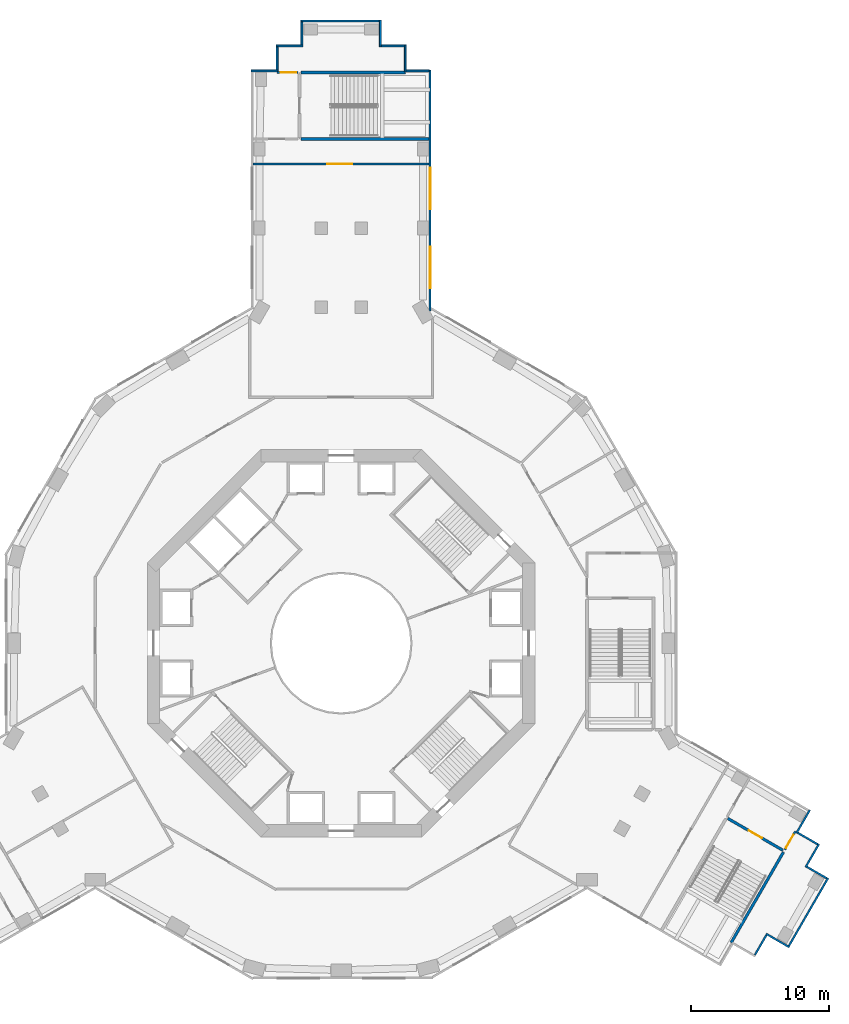
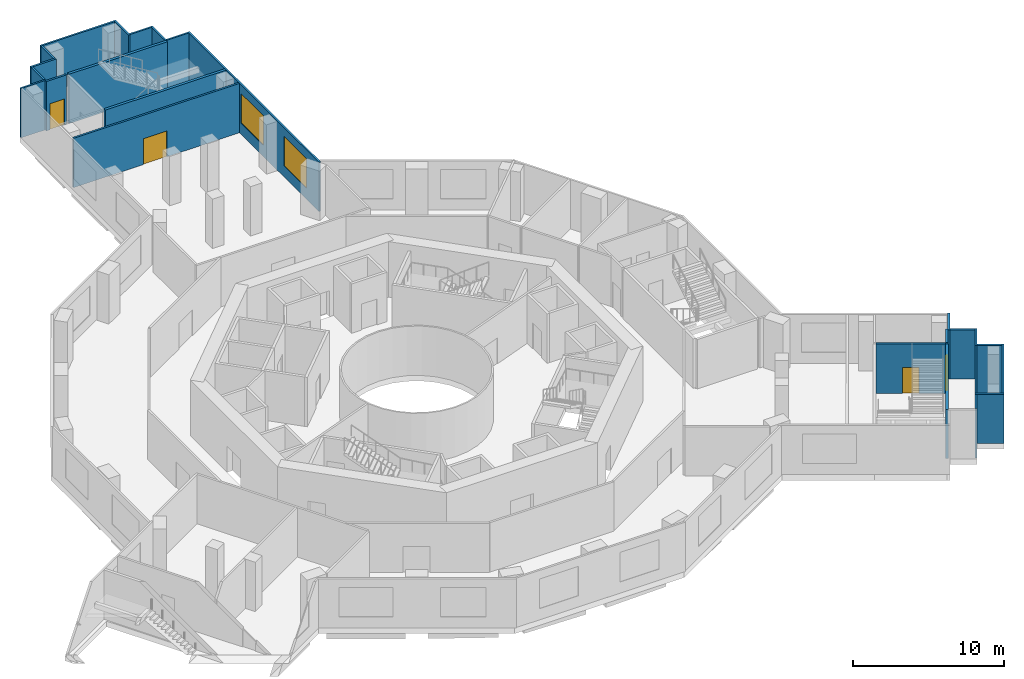
# One storey, part 7 of 20: 24 walls, 4 doors, 2 windows, 6 openings.
"""IFC4 building model written with IfcOpenShell, lengths in metres."""

from ifc_helpers import new_model, si_unit, direction, frame, frame_2d, origin, place, context, subcontext, project, spatial, rectangle, extrude, material, layer, layer_set, type_object, element, fill, save


model = new_model("IFC4")

# Units and contexts
model_context = context("Model", 3, precision=1e-05, world=origin(), true_north=direction((0.0, 1.0)))
body_context = subcontext(model_context, "Body", "Model", "MODEL_VIEW")
ifc_project = project(units=[si_unit("LENGTHUNIT", "METRE"), si_unit("AREAUNIT", "SQUARE_METRE"), si_unit("VOLUMEUNIT", "CUBIC_METRE"), si_unit("PLANEANGLEUNIT", "RADIAN"), si_unit("MASSUNIT", "GRAM", prefix="KILO")], contexts=[model_context])

# Site, building, storey
site_placement = place(None, origin())
site = spatial("IfcSite", under=ifc_project, at=site_placement, CompositionType="ELEMENT")
building_placement = place(site_placement, origin())
building = spatial("IfcBuilding", under=site, at=building_placement, Name="Verdalira Terraces Hotel", CompositionType="ELEMENT")
storey_placement = place(building_placement, frame((0.0, 0.0, 23.5)))
storey = spatial("IfcBuildingStorey", under=building, at=storey_placement, Name="L04", CompositionType="ELEMENT", Elevation=23.5)

# Wall, opening, door
ifc_material_1 = material(Name="Gypsum board partition on steel stud", Category="steel")
ifc_layer_1 = layer(ifc_material_1, 0.14990234375)
ifc_layer_set_1 = layer_set([ifc_layer_1], Name="Fire-rated partition 150 mm")
wall_type_1 = type_object("IfcWallType", Name="Fire-rated partition 150 mm", PredefinedType="PARTITIONING", material=ifc_layer_set_1)
wall_1_placement = place(storey_placement, frame((-6.360107, 34.600098, 0.0), z_axis=(0.0, 0.0, 1.0), x_axis=(1.0, 0.0, 0.0)))
wall_1 = element("IfcWall", 1, at=wall_1_placement, inside=storey, type_object=wall_type_1, Name="Partition", PredefinedType="PARTITIONING", context=body_context, shape_type="SweptSolid", body=[
    extrude(rectangle(XDim=12.720215, YDim=0.149902, at=frame_2d((6.360107, 0.0))), origin(), (0.0, 0.0, 1.0), 4.0),
])
opening_1_placement = place(wall_1_placement, frame((5.350098, 0.0, 0.0)))
opening_1 = element("IfcOpeningElement", 2, at=opening_1_placement, cuts=wall_1, Name="Opening L04-D09", PredefinedType="OPENING", context=body_context, shape_type="SweptSolid", body=[
    extrude(rectangle(XDim=1.800049, YDim=2.100098, at=frame_2d((0.899902, 1.050049))), frame((0.0, 0.084961, 0.0), z_axis=(0.0, -1.0, 0.0), x_axis=(1.0, 0.0, 0.0)), (0.0, 0.0, 1.0), 0.169922),
])
ifc_material_2 = material(Name="Steel fire door", Category="steel")
door_type_1 = type_object("IfcDoorType", Name="Fire door pair 1800 x 2100", OperationType="DOUBLE_DOOR_SINGLE_SWING", PredefinedType="DOOR", material=ifc_material_2)
door_1_placement = place(opening_1_placement, origin())
door_1 = element("IfcDoor", 3, at=door_1_placement, inside=storey, type_object=door_type_1, Name="Stair approach corridor door", OperationType="DOUBLE_DOOR_SINGLE_SWING", OverallHeight=2.10009765625, OverallWidth=1.800048828125, PredefinedType="DOOR", context=body_context, shape_type="SweptSolid", body=[
    extrude(rectangle(XDim=1.800049, YDim=2.100098, at=frame_2d((0.899902, 1.050049))), frame((0.0, 0.024902, 0.0), z_axis=(0.0, -1.0, 0.0), x_axis=(1.0, 0.0, 0.0)), (0.0, 0.0, 1.0), 0.050049),
])
fill(opening_1, door_1)

wall_2_placement = place(storey_placement, frame((-4.64502, 41.199951, 0.0), z_axis=(0.0, 0.0, 1.0), x_axis=(1.0, 0.0, 0.0)))
wall_2 = element("IfcWall", 4, at=wall_2_placement, inside=storey, type_object=wall_type_1, Name="Partition", PredefinedType="PARTITIONING", context=body_context, shape_type="SweptSolid", body=[
    extrude(rectangle(XDim=1.545166, YDim=0.149902, at=frame_2d((0.772461, 0.0))), origin(), (0.0, 0.0, 1.0), 4.0),
])
opening_2_placement = place(wall_2_placement, frame((0.29541, 0.0, 0.0)))
opening_2 = element("IfcOpeningElement", 5, at=opening_2_placement, cuts=wall_2, Name="Opening L04-D12", PredefinedType="OPENING", context=body_context, shape_type="SweptSolid", body=[
    extrude(rectangle(XDim=1.100098, YDim=2.100098, at=frame_2d((0.550049, 1.050049))), frame((0.0, 0.084961, 0.0), z_axis=(0.0, -1.0, 0.0), x_axis=(1.0, 0.0, 0.0)), (0.0, 0.0, 1.0), 0.169922),
])
ifc_material_3 = material(Name="Steel fire door", Category="steel")
door_type_2 = type_object("IfcDoorType", Name="Stair door 1100 x 2100", OperationType="SINGLE_SWING_LEFT", PredefinedType="DOOR", material=ifc_material_3)
door_2_placement = place(opening_2_placement, origin())
door_2 = element("IfcDoor", 6, at=door_2_placement, inside=storey, type_object=door_type_2, Name="Stair door Stair vestibule PS1", OperationType="SINGLE_SWING_RIGHT", OverallHeight=2.10009765625, OverallWidth=1.10009765625, PredefinedType="DOOR", context=body_context, shape_type="SweptSolid", body=[
    extrude(rectangle(XDim=1.100098, YDim=2.100098, at=frame_2d((0.550049, 1.050049))), frame((0.0, 0.024902, 0.0), z_axis=(0.0, -1.0, 0.0), x_axis=(1.0, 0.0, 0.0)), (0.0, 0.0, 1.0), 0.050049),
])
fill(opening_2, door_2)

wall_3_placement = place(storey_placement, frame((32.806641, -13.577148, 0.0), z_axis=(0.0, 0.0, 1.0), x_axis=(-0.499995951, -0.866027742, 0.0)))
wall_3 = element("IfcWall", 7, at=wall_3_placement, inside=storey, type_object=wall_type_1, Name="Partition", PredefinedType="PARTITIONING", context=body_context, shape_type="SweptSolid", body=[
    extrude(rectangle(XDim=1.54541, YDim=0.149902, at=frame_2d((0.772705, 0.0))), origin(), (0.0, 0.0, 1.0), 4.0),
])
opening_3_placement = place(wall_3_placement, frame((0.29541, 0.0, 0.0)))
opening_3 = element("IfcOpeningElement", 8, at=opening_3_placement, cuts=wall_3, Name="Opening L04-D26", PredefinedType="OPENING", context=body_context, shape_type="SweptSolid", body=[
    extrude(rectangle(XDim=1.100098, YDim=2.100098, at=frame_2d((0.550049, 1.050049))), frame((0.0, 0.084961, 0.0), z_axis=(0.0, -1.0, 0.0), x_axis=(1.0, 0.0, 0.0)), (0.0, 0.0, 1.0), 0.169922),
])
door_3_placement = place(opening_3_placement, origin())
door_3 = element("IfcDoor", 9, at=door_3_placement, inside=storey, type_object=door_type_2, Name="Stair door Stair vestibule PS3", OperationType="SINGLE_SWING_RIGHT", OverallHeight=2.10009765625, OverallWidth=1.10009765625, PredefinedType="DOOR", context=body_context, shape_type="SweptSolid", body=[
    extrude(rectangle(XDim=1.100098, YDim=2.100098, at=frame_2d((0.550049, 1.050049))), frame((0.0, 0.024902, 0.0), z_axis=(0.0, -1.0, 0.0), x_axis=(1.0, 0.0, 0.0)), (0.0, 0.0, 1.0), 0.050049),
])
fill(opening_3, door_3)

# Walls
ifc_material_4 = material(Name="Concrete C50", Category="concrete")
ifc_layer_2 = layer(ifc_material_4, 0.199951171875)
ifc_layer_set_2 = layer_set([ifc_layer_2], Name="Stair enclosure wall 200 mm")
wall_type_2 = type_object("IfcWallType", Name="Stair enclosure wall 200 mm", PredefinedType="SOLIDWALL", material=ifc_layer_set_2)
wall_4_placement = place(storey_placement, frame((-2.900146, 36.399902, 0.0), z_axis=(0.0, 0.0, 1.0), x_axis=(1.0, 0.0, 0.0)))
element("IfcWall", 10, at=wall_4_placement, inside=storey, type_object=wall_type_2, Name="Stair enclosure wall", PredefinedType="SOLIDWALL", context=body_context, shape_type="SweptSolid", body=[
    extrude(rectangle(XDim=9.260254, YDim=0.199951, at=frame_2d((4.630127, 0.0))), origin(), (0.0, 0.0, 1.0), 4.0),
])
for number, where, z_axis, x_axis, name in (
    (11, (4.64502, 41.199951, 0.0), (0.0, 0.0, 1.0), (-1.0, 0.0, 0.0), "Stair enclosure wall"),
    (12, (28.161621, -21.622803, 0.0), (0.0, 0.0, 1.0), (0.499981072, 0.866036332, 0.0), "Stair enclosure wall"),
):
    element("IfcWall", number, at=place(storey_placement, frame(where, z_axis=z_axis, x_axis=x_axis)), inside=storey, type_object=wall_type_2, Name=name, PredefinedType="SOLIDWALL", context=body_context, shape_type="SweptSolid", body=[
        extrude(rectangle(XDim=7.545166, YDim=0.199951, at=frame_2d((3.772461, 0.0))), origin(), (0.0, 0.0, 1.0), 4.0),
    ])

# Wall, opening, door
wall_5_placement = place(storey_placement, frame((27.913818, -12.651855, 0.0), z_axis=(0.0, 0.0, 1.0), x_axis=(0.86601677, -0.500014953, 0.0)))
wall_5 = element("IfcWall", 13, at=wall_5_placement, inside=storey, type_object=wall_type_2, Name="Stair enclosure wall", PredefinedType="SOLIDWALL", context=body_context, shape_type="SweptSolid", body=[
    extrude(rectangle(XDim=4.599854, YDim=0.199951, at=frame_2d((2.299805, 0.0))), origin(), (0.0, 0.0, 1.0), 4.0),
])
opening_4_placement = place(wall_5_placement, frame((1.75, 0.0, 0.0)))
opening_4 = element("IfcOpeningElement", 14, at=opening_4_placement, cuts=wall_5, Name="Opening L04-D25", PredefinedType="OPENING", context=body_context, shape_type="SweptSolid", body=[
    extrude(rectangle(XDim=1.100098, YDim=2.100098, at=frame_2d((0.550049, 1.050049))), frame((0.0, 0.109863, 0.0), z_axis=(0.0, -1.0, 0.0), x_axis=(1.0, 0.0, 0.0)), (0.0, 0.0, 1.0), 0.219971),
])
door_4_placement = place(opening_4_placement, origin())
door_4 = element("IfcDoor", 15, at=door_4_placement, inside=storey, type_object=door_type_2, Name="Stair door Stair lobby PS3", OperationType="SINGLE_SWING_LEFT", OverallHeight=2.10009765625, OverallWidth=1.10009765625, PredefinedType="DOOR", context=body_context, shape_type="SweptSolid", body=[
    extrude(rectangle(XDim=1.100098, YDim=2.100098, at=frame_2d((0.550049, 1.050049))), frame((0.0, 0.024902, 0.0), z_axis=(0.0, -1.0, 0.0), x_axis=(1.0, 0.0, 0.0)), (0.0, 0.0, 1.0), 0.050049),
])
fill(opening_4, door_4)

# Wall, openings, windows
ifc_material_5 = material(Name="Concrete C40", Category="concrete")
ifc_layer_3 = layer(ifc_material_5, 0.139892578125)
ifc_layer_set_3 = layer_set([ifc_layer_3], Name="Terracotta clad concrete wall C40 140 mm")
wall_type_3 = type_object("IfcWallType", Name="Terracotta clad concrete wall C40 140 mm", PredefinedType="SOLIDWALL", material=ifc_layer_set_3)
wall_6_placement = place(storey_placement, frame((6.429932, 23.995117, 0.0), z_axis=(0.0, 0.0, 1.0), x_axis=(0.0, 1.0, 0.0)))
wall_6 = element("IfcWall", 16, at=wall_6_placement, inside=storey, type_object=wall_type_3, Name="Podium facade wall", PredefinedType="SOLIDWALL", context=body_context, shape_type="SweptSolid", body=[
    extrude(rectangle(XDim=17.404785, YDim=0.139893, at=frame_2d((8.702393, 0.0))), origin(), (0.0, 0.0, 1.0), 4.0),
])
opening_5_placement = place(wall_6_placement, frame((1.634277, 0.0, 0.899902)))
opening_5 = element("IfcOpeningElement", 17, at=opening_5_placement, cuts=wall_6, Name="Opening WP", PredefinedType="OPENING", context=body_context, shape_type="SweptSolid", body=[
    extrude(rectangle(XDim=3.0, YDim=2.399902, at=frame_2d((1.5, 1.199951))), frame((0.0, 0.079834, 0.0), z_axis=(0.0, -1.0, 0.0), x_axis=(1.0, 0.0, 0.0)), (0.0, 0.0, 1.0), 0.159912),
])
opening_6_placement = place(wall_6_placement, frame((7.333984, 0.0, 0.899902)))
opening_6 = element("IfcOpeningElement", 18, at=opening_6_placement, cuts=wall_6, Name="Opening WP", PredefinedType="OPENING", context=body_context, shape_type="SweptSolid", body=[
    extrude(rectangle(XDim=3.0, YDim=2.399902, at=frame_2d((1.5, 1.199951))), frame((0.0, 0.079834, 0.0), z_axis=(0.0, -1.0, 0.0), x_axis=(1.0, 0.0, 0.0)), (0.0, 0.0, 1.0), 0.159912),
])
ifc_material_6 = material(Name="Clear double glazing in aluminium frame", Category="aluminium")
window_type = type_object("IfcWindowType", Name="Podium window 3000 x 2400", PartitioningType="SINGLE_PANEL", PredefinedType="WINDOW", material=ifc_material_6)
window_1_placement = place(opening_5_placement, origin())
window_1 = element("IfcWindow", 19, at=window_1_placement, inside=storey, type_object=window_type, Name="Podium window", OverallHeight=2.39990234375, OverallWidth=3.0, PartitioningType="SINGLE_PANEL", PredefinedType="WINDOW", context=body_context, shape_type="SweptSolid", body=[
    extrude(rectangle(XDim=3.0, YDim=2.399902, at=frame_2d((1.5, 1.199951))), frame((0.0, 0.030029, 0.0), z_axis=(0.0, -1.0, 0.0), x_axis=(1.0, 0.0, 0.0)), (0.0, 0.0, 1.0), 0.060059),
])
fill(opening_5, window_1)
window_2_placement = place(opening_6_placement, origin())
window_2 = element("IfcWindow", 20, at=window_2_placement, inside=storey, type_object=window_type, Name="Podium window", OverallHeight=2.39990234375, OverallWidth=3.0, PartitioningType="SINGLE_PANEL", PredefinedType="WINDOW", context=body_context, shape_type="SweptSolid", body=[
    extrude(rectangle(XDim=3.0, YDim=2.399902, at=frame_2d((1.5, 1.199951))), frame((0.0, 0.030029, 0.0), z_axis=(0.0, -1.0, 0.0), x_axis=(1.0, 0.0, 0.0)), (0.0, 0.0, 1.0), 0.060059),
])
fill(opening_6, window_2)

# Walls
wall_7_placement = place(storey_placement, frame((6.360107, 41.330078, 0.0), z_axis=(0.0, 0.0, 1.0), x_axis=(-1.0, 0.0, 0.0)))
element("IfcWall", 21, at=wall_7_placement, inside=storey, type_object=wall_type_3, Name="Podium facade wall", PredefinedType="SOLIDWALL", context=body_context, shape_type="SweptSolid", body=[
    extrude(rectangle(XDim=1.660156, YDim=0.139893, at=frame_2d((0.830078, 0.0))), origin(), (0.0, 0.0, 1.0), 4.0),
])
wall_8_placement = place(storey_placement, frame((4.629883, 41.26001, 0.0), z_axis=(0.0, 0.0, 1.0), x_axis=(0.0, 1.0, 0.0)))
element("IfcWall", 22, at=wall_8_placement, inside=storey, type_object=wall_type_3, Name="Podium facade wall", PredefinedType="SOLIDWALL", context=body_context, shape_type="SweptSolid", body=[
    extrude(rectangle(XDim=1.939941, YDim=0.139893, at=frame_2d((0.969971, 0.0))), origin(), (0.0, 0.0, 1.0), 4.0),
])
ifc_material_7 = material(Name="Terracotta cladding on steel stud backup", Category="masonry")
ifc_layer_4 = layer(ifc_material_7, 0.139892578125)
ifc_layer_set_4 = layer_set([ifc_layer_4], Name="Terracotta clad wall 140 mm")
wall_type_4 = type_object("IfcWallType", Name="Terracotta clad wall 140 mm", PredefinedType="SOLIDWALL", material=ifc_layer_set_4)
wall_9_placement = place(storey_placement, frame((4.560059, 43.129883, 0.0), z_axis=(0.0, 0.0, 1.0), x_axis=(-1.0, 0.0, 0.0)))
element("IfcWall", 23, at=wall_9_placement, inside=storey, type_object=wall_type_4, Name="Podium facade wall", PredefinedType="SOLIDWALL", context=body_context, shape_type="SweptSolid", body=[
    extrude(rectangle(XDim=1.660156, YDim=0.139893, at=frame_2d((0.830078, 0.0))), origin(), (0.0, 0.0, 1.0), 4.0),
])
wall_10_placement = place(storey_placement, frame((2.830078, 43.060059, 0.0), z_axis=(0.0, 0.0, 1.0), x_axis=(0.0, 1.0, 0.0)))
element("IfcWall", 24, at=wall_10_placement, inside=storey, type_object=wall_type_4, Name="Podium facade wall", PredefinedType="SOLIDWALL", context=body_context, shape_type="SweptSolid", body=[
    extrude(rectangle(XDim=1.939941, YDim=0.139893, at=frame_2d((0.969971, 0.0))), origin(), (0.0, 0.0, 1.0), 4.0),
])
wall_11_placement = place(storey_placement, frame((2.76001, 44.929932, 0.0), z_axis=(0.0, 0.0, 1.0), x_axis=(-1.0, 0.0, 0.0)))
element("IfcWall", 25, at=wall_11_placement, inside=storey, type_object=wall_type_4, Name="Podium facade wall", PredefinedType="SOLIDWALL", context=body_context, shape_type="SweptSolid", body=[
    extrude(rectangle(XDim=5.659912, YDim=0.139893, at=frame_2d((2.830078, 0.0))), origin(), (0.0, 0.0, 1.0), 4.0),
])
wall_12_placement = place(storey_placement, frame((-2.830078, 44.860107, 0.0), z_axis=(0.0, 0.0, 1.0), x_axis=(0.0, -1.0, 0.0)))
element("IfcWall", 26, at=wall_12_placement, inside=storey, type_object=wall_type_4, Name="Podium facade wall", PredefinedType="SOLIDWALL", context=body_context, shape_type="SweptSolid", body=[
    extrude(rectangle(XDim=1.660156, YDim=0.139893, at=frame_2d((0.830078, 0.0))), origin(), (0.0, 0.0, 1.0), 4.0),
])
wall_13_placement = place(storey_placement, frame((-2.76001, 43.129883, 0.0), z_axis=(0.0, 0.0, 1.0), x_axis=(-1.0, 0.0, 0.0)))
element("IfcWall", 27, at=wall_13_placement, inside=storey, type_object=wall_type_4, Name="Podium facade wall", PredefinedType="SOLIDWALL", context=body_context, shape_type="SweptSolid", body=[
    extrude(rectangle(XDim=1.939941, YDim=0.139893, at=frame_2d((0.969971, 0.0))), origin(), (0.0, 0.0, 1.0), 4.0),
])
wall_14_placement = place(storey_placement, frame((-4.629883, 43.060059, 0.0), z_axis=(0.0, 0.0, 1.0), x_axis=(0.0, -1.0, 0.0)))
element("IfcWall", 28, at=wall_14_placement, inside=storey, type_object=wall_type_4, Name="Podium facade wall", PredefinedType="SOLIDWALL", context=body_context, shape_type="SweptSolid", body=[
    extrude(rectangle(XDim=1.660156, YDim=0.139893, at=frame_2d((0.830078, 0.0))), origin(), (0.0, 0.0, 1.0), 4.0),
])
wall_15_placement = place(storey_placement, frame((-4.560059, 41.330078, 0.0), z_axis=(0.0, 0.0, 1.0), x_axis=(-1.0, 0.0, 0.0)))
element("IfcWall", 29, at=wall_15_placement, inside=storey, type_object=wall_type_4, Name="Podium facade wall", PredefinedType="SOLIDWALL", context=body_context, shape_type="SweptSolid", body=[
    extrude(rectangle(XDim=1.939941, YDim=0.139893, at=frame_2d((0.969971, 0.0))), origin(), (0.0, 0.0, 1.0), 4.0),
])
wall_16_placement = place(storey_placement, frame((29.875488, -22.51416, 0.0), z_axis=(0.0, 0.0, 1.0), x_axis=(0.499998264, 0.866026406, 0.0)))
element("IfcWall", 30, at=wall_16_placement, inside=storey, type_object=wall_type_4, Name="Podium facade wall", PredefinedType="SOLIDWALL", context=body_context, shape_type="SweptSolid", body=[
    extrude(rectangle(XDim=1.660156, YDim=0.139893, at=frame_2d((0.830078, 0.0))), origin(), (0.0, 0.0, 1.0), 4.0),
])
wall_17_placement = place(storey_placement, frame((30.679932, -20.980957, 0.0), z_axis=(0.0, 0.0, 1.0), x_axis=(0.866043088, -0.499969368, 0.0)))
element("IfcWall", 31, at=wall_17_placement, inside=storey, type_object=wall_type_4, Name="Podium facade wall", PredefinedType="SOLIDWALL", context=body_context, shape_type="SweptSolid", body=[
    extrude(rectangle(XDim=1.939941, YDim=0.139893, at=frame_2d((0.969971, 0.0))), origin(), (0.0, 0.0, 1.0), 4.0),
])
wall_18_placement = place(storey_placement, frame((32.334473, -21.855225, 0.0), z_axis=(0.0, 0.0, 1.0), x_axis=(0.499985074, 0.866034021, 0.0)))
element("IfcWall", 32, at=wall_18_placement, inside=storey, type_object=wall_type_4, Name="Podium facade wall", PredefinedType="SOLIDWALL", context=body_context, shape_type="SweptSolid", body=[
    extrude(rectangle(XDim=5.659912, YDim=0.139893, at=frame_2d((2.830078, 0.0))), origin(), (0.0, 0.0, 1.0), 4.0),
])
wall_19_placement = place(storey_placement, frame((35.068604, -16.979004, 0.0), z_axis=(0.0, 0.0, 1.0), x_axis=(-0.866053324, 0.499951638, 0.0)))
element("IfcWall", 33, at=wall_19_placement, inside=storey, type_object=wall_type_4, Name="Podium facade wall", PredefinedType="SOLIDWALL", context=body_context, shape_type="SweptSolid", body=[
    extrude(rectangle(XDim=1.659912, YDim=0.139893, at=frame_2d((0.830078, 0.0))), origin(), (0.0, 0.0, 1.0), 4.0),
])
wall_20_placement = place(storey_placement, frame((33.5354, -16.174805, 0.0), z_axis=(0.0, 0.0, 1.0), x_axis=(0.500063744, 0.865988598, 0.0)))
element("IfcWall", 34, at=wall_20_placement, inside=storey, type_object=wall_type_4, Name="Podium facade wall", PredefinedType="SOLIDWALL", context=body_context, shape_type="SweptSolid", body=[
    extrude(rectangle(XDim=1.940186, YDim=0.139893, at=frame_2d((0.970215, 0.0))), origin(), (0.0, 0.0, 1.0), 4.0),
])
wall_21_placement = place(storey_placement, frame((34.409912, -14.520264, 0.0), z_axis=(0.0, 0.0, 1.0), x_axis=(-0.865989634, 0.500061949, 0.0)))
element("IfcWall", 35, at=wall_21_placement, inside=storey, type_object=wall_type_4, Name="Podium facade wall", PredefinedType="SOLIDWALL", context=body_context, shape_type="SweptSolid", body=[
    extrude(rectangle(XDim=1.659912, YDim=0.139893, at=frame_2d((0.830078, 0.0))), origin(), (0.0, 0.0, 1.0), 4.0),
])
wall_22_placement = place(storey_placement, frame((32.876709, -13.71582, 0.0), z_axis=(0.0, 0.0, 1.0), x_axis=(0.500023862, 0.866011627, 0.0)))
element("IfcWall", 36, at=wall_22_placement, inside=storey, type_object=wall_type_4, Name="Podium facade wall", PredefinedType="SOLIDWALL", context=body_context, shape_type="SweptSolid", body=[
    extrude(rectangle(XDim=1.939941, YDim=0.139893, at=frame_2d((0.969971, 0.0))), origin(), (0.0, 0.0, 1.0), 4.0),
])

save(model, "model.ifc")
